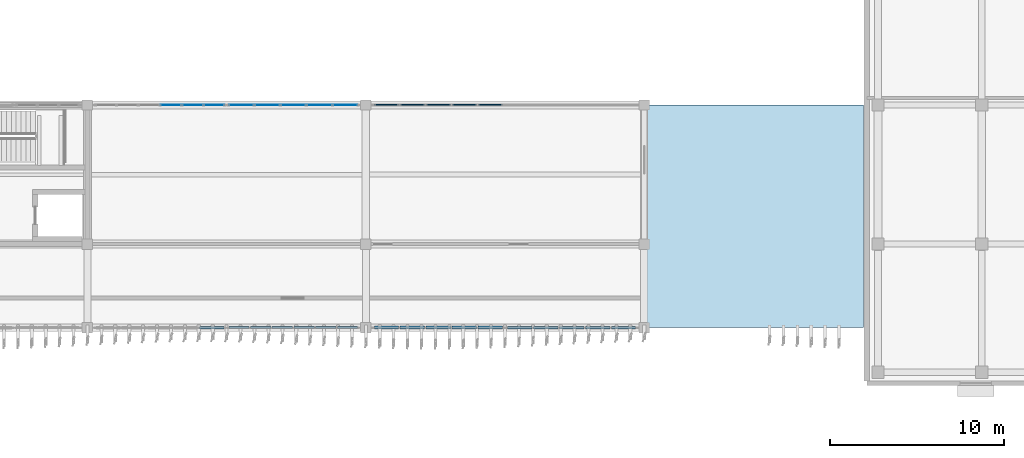
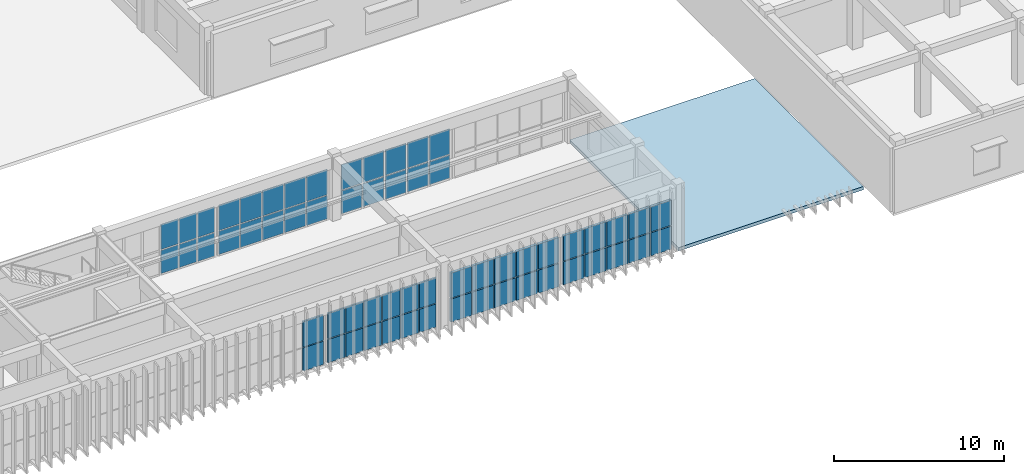
# One storey, part 45 of 76: 60 plates, 1 slab, 7 elements without a shape of their own.
"""IFC4 building model written with IfcOpenShell, lengths in metres."""

from ifc_helpers import new_model, si_unit, direction, frame, origin, origin_2d, place, context, subcontext, project, spatial, polyline, rectangle, outline, extrude, material, layer, layer_set, type_object, element, aggregate, save


model = new_model("IFC4")

# Units and contexts
model_context = context("Model", 3, precision=1e-05, world=origin(), true_north=direction((0.0, 1.0)))
body_context = subcontext(model_context, "Body", "Model", "MODEL_VIEW")
ifc_project = project(units=[si_unit("LENGTHUNIT", "METRE"), si_unit("AREAUNIT", "SQUARE_METRE"), si_unit("VOLUMEUNIT", "CUBIC_METRE"), si_unit("PLANEANGLEUNIT", "RADIAN"), si_unit("MASSUNIT", "GRAM", prefix="KILO")], contexts=[model_context])

# Site, building, storey
site_placement = place(None, origin())
site = spatial("IfcSite", under=ifc_project, at=site_placement, CompositionType="ELEMENT")
building_placement = place(site_placement, origin())
building = spatial("IfcBuilding", under=site, at=building_placement, Name="Cinchona Park Media Centre", CompositionType="ELEMENT")
storey_placement = place(building_placement, frame((0.0, 0.0, 15.60009765625)))
storey = spatial("IfcBuildingStorey", under=building, at=storey_placement, Name="L03", CompositionType="ELEMENT", Elevation=15.60009765625)

# Curtain wall, plates
ifc_material_1 = material(Name="Aluminium Curtain Wall Framing", Category="aluminium")
ifc_layer_1 = layer(ifc_material_1, 0.22509765625)
ifc_layer_set_1 = layer_set([ifc_layer_1], Name="Aluminium Curtain Wall Framing")
curtain_wall_type_1 = type_object("IfcCurtainWallType", Name="CW-CW04", PredefinedType="USERDEFINED", material=ifc_layer_set_1)
curtain_wall_1_placement = place(storey_placement, origin())
curtain_wall_1 = element("IfcCurtainWall", 1, at=curtain_wall_1_placement, inside=storey, type_object=curtain_wall_type_1, Name="Curtain Wall CW04 L03", ObjectType="UNITISED CURTAIN WALL", PredefinedType="USERDEFINED")
ifc_material_2 = material(Name="Laminated Solar-Control Double Glazing", Category="glass")
ifc_layer_2 = layer(ifc_material_2, 0.030029296875)
ifc_layer_set_2 = layer_set([ifc_layer_2], Name="Laminated Solar-Control Double Glazing")
plate_type_1 = type_object("IfcPlateType", Name="CWPANEL-PNL02", PredefinedType="CURTAIN_PANEL", material=ifc_layer_set_2)
plate_1_placement = place(storey_placement, frame((99.594970703125, 87.60009765625, 0.114990234375), z_axis=(0.0, 0.0, 1.0), x_axis=(1.0, 0.0, 0.0)))
plate_1 = element("IfcPlate", 2, at=plate_1_placement, type_object=plate_type_1, Name="CW04 panel 4.1", PredefinedType="CURTAIN_PANEL", context=body_context, shape_type="SweptSolid", body=[
    extrude(rectangle(XDim=1.18505859375, YDim=0.030029296875, at=origin_2d()), origin(), (0.0, 0.0, 1.0), 1.66845703125),
])
plate_2_placement = place(storey_placement, frame((99.594970703125, 87.60009765625, 1.848388671875), z_axis=(0.0, 0.0, 1.0), x_axis=(1.0, 0.0, 0.0)))
plate_2 = element("IfcPlate", 3, at=plate_2_placement, type_object=plate_type_1, Name="CW04 panel 4.2", PredefinedType="CURTAIN_PANEL", context=body_context, shape_type="SweptSolid", body=[
    extrude(rectangle(XDim=1.18505859375, YDim=0.030029296875, at=origin_2d()), origin(), (0.0, 0.0, 1.0), 1.81640625),
])
plate_3_placement = place(storey_placement, frame((100.844970703125, 87.60009765625, 0.114990234375), z_axis=(0.0, 0.0, 1.0), x_axis=(1.0, 0.0, 0.0)))
plate_3 = element("IfcPlate", 4, at=plate_3_placement, type_object=plate_type_1, Name="CW04 panel 5.1", PredefinedType="CURTAIN_PANEL", context=body_context, shape_type="SweptSolid", body=[
    extrude(rectangle(XDim=1.18505859375, YDim=0.030029296875, at=origin_2d()), origin(), (0.0, 0.0, 1.0), 1.66845703125),
])
plate_4_placement = place(storey_placement, frame((100.844970703125, 87.60009765625, 1.848388671875), z_axis=(0.0, 0.0, 1.0), x_axis=(1.0, 0.0, 0.0)))
plate_4 = element("IfcPlate", 5, at=plate_4_placement, type_object=plate_type_1, Name="CW04 panel 5.2", PredefinedType="CURTAIN_PANEL", context=body_context, shape_type="SweptSolid", body=[
    extrude(rectangle(XDim=1.18505859375, YDim=0.030029296875, at=origin_2d()), origin(), (0.0, 0.0, 1.0), 1.81640625),
])
plate_5_placement = place(storey_placement, frame((102.078857421875, 87.60009765625, 0.114990234375), z_axis=(0.0, 0.0, 1.0), x_axis=(1.0, 0.0, 0.0)))
plate_5 = element("IfcPlate", 6, at=plate_5_placement, type_object=plate_type_1, Name="CW04 panel 6.1", PredefinedType="CURTAIN_PANEL", context=body_context, shape_type="SweptSolid", body=[
    extrude(rectangle(XDim=1.152587890625, YDim=0.030029296875, at=origin_2d()), origin(), (0.0, 0.0, 1.0), 1.66845703125),
])
plate_6_placement = place(storey_placement, frame((102.078857421875, 87.60009765625, 1.848388671875), z_axis=(0.0, 0.0, 1.0), x_axis=(1.0, 0.0, 0.0)))
plate_6 = element("IfcPlate", 7, at=plate_6_placement, type_object=plate_type_1, Name="CW04 panel 6.2", PredefinedType="CURTAIN_PANEL", context=body_context, shape_type="SweptSolid", body=[
    extrude(rectangle(XDim=1.152587890625, YDim=0.030029296875, at=origin_2d()), origin(), (0.0, 0.0, 1.0), 1.81640625),
])
aggregate(curtain_wall_1, [plate_1, plate_2, plate_3, plate_4, plate_5, plate_6])

ifc_material_3 = material(Name="Aluminium Curtain Wall Framing", Category="aluminium")
ifc_layer_3 = layer(ifc_material_3, 0.239990234375)
ifc_layer_set_3 = layer_set([ifc_layer_3], Name="Aluminium Curtain Wall Framing")
curtain_wall_type_2 = type_object("IfcCurtainWallType", Name="CW-CW05", PredefinedType="USERDEFINED", material=ifc_layer_set_3)
curtain_wall_2_placement = place(storey_placement, origin())
curtain_wall_2 = element("IfcCurtainWall", 8, at=curtain_wall_2_placement, inside=storey, type_object=curtain_wall_type_2, Name="Curtain Wall CW05 L03", ObjectType="UNITISED CURTAIN WALL", PredefinedType="USERDEFINED")
ifc_material_4 = material(Name="Laminated Solar-Control Double Glazing", Category="glass")
ifc_layer_4 = layer(ifc_material_4, 0.050048828125)
ifc_layer_set_4 = layer_set([ifc_layer_4], Name="Laminated Solar-Control Double Glazing")
plate_type_2 = type_object("IfcPlateType", Name="CWPANEL-PNL04", PredefinedType="CURTAIN_PANEL", material=ifc_layer_set_4)
plate_7_placement = place(storey_placement, frame((103.646240234375, 87.60009765625, 0.114990234375), z_axis=(0.0, 0.0, 1.0), x_axis=(1.0, 0.0, 0.0)))
plate_7 = element("IfcPlate", 9, at=plate_7_placement, type_object=plate_type_2, Name="CW05 panel 1.1", PredefinedType="CURTAIN_PANEL", context=body_context, shape_type="SweptSolid", body=[
    extrude(rectangle(XDim=1.402587890625, YDim=0.050048828125, at=origin_2d()), origin(), (0.0, 0.0, 1.0), 1.66845703125),
])
plate_8_placement = place(storey_placement, frame((103.646240234375, 87.60009765625, 1.848388671875), z_axis=(0.0, 0.0, 1.0), x_axis=(1.0, 0.0, 0.0)))
plate_8 = element("IfcPlate", 10, at=plate_8_placement, type_object=plate_type_2, Name="CW05 panel 1.2", PredefinedType="CURTAIN_PANEL", context=body_context, shape_type="SweptSolid", body=[
    extrude(rectangle(XDim=1.402587890625, YDim=0.050048828125, at=origin_2d()), origin(), (0.0, 0.0, 1.0), 1.81640625),
])
plate_9_placement = place(storey_placement, frame((105.1298828125, 87.60009765625, 0.114990234375), z_axis=(0.0, 0.0, 1.0), x_axis=(1.0, 0.0, 0.0)))
plate_9 = element("IfcPlate", 11, at=plate_9_placement, type_object=plate_type_2, Name="CW05 panel 2.1", PredefinedType="CURTAIN_PANEL", context=body_context, shape_type="SweptSolid", body=[
    extrude(rectangle(XDim=1.43505859375, YDim=0.050048828125, at=origin_2d()), origin(), (0.0, 0.0, 1.0), 1.66845703125),
])
plate_10_placement = place(storey_placement, frame((105.1298828125, 87.60009765625, 1.848388671875), z_axis=(0.0, 0.0, 1.0), x_axis=(1.0, 0.0, 0.0)))
plate_10 = element("IfcPlate", 12, at=plate_10_placement, type_object=plate_type_2, Name="CW05 panel 2.2", PredefinedType="CURTAIN_PANEL", context=body_context, shape_type="SweptSolid", body=[
    extrude(rectangle(XDim=1.43505859375, YDim=0.050048828125, at=origin_2d()), origin(), (0.0, 0.0, 1.0), 1.81640625),
])
plate_11_placement = place(storey_placement, frame((106.6298828125, 87.60009765625, 0.114990234375), z_axis=(0.0, 0.0, 1.0), x_axis=(1.0, 0.0, 0.0)))
plate_11 = element("IfcPlate", 13, at=plate_11_placement, type_object=plate_type_2, Name="CW05 panel 3.1", PredefinedType="CURTAIN_PANEL", context=body_context, shape_type="SweptSolid", body=[
    extrude(rectangle(XDim=1.43505859375, YDim=0.050048828125, at=origin_2d()), origin(), (0.0, 0.0, 1.0), 1.66845703125),
])
plate_12_placement = place(storey_placement, frame((106.6298828125, 87.60009765625, 1.848388671875), z_axis=(0.0, 0.0, 1.0), x_axis=(1.0, 0.0, 0.0)))
plate_12 = element("IfcPlate", 14, at=plate_12_placement, type_object=plate_type_2, Name="CW05 panel 3.2", PredefinedType="CURTAIN_PANEL", context=body_context, shape_type="SweptSolid", body=[
    extrude(rectangle(XDim=1.43505859375, YDim=0.050048828125, at=origin_2d()), origin(), (0.0, 0.0, 1.0), 1.81640625),
])
plate_13_placement = place(storey_placement, frame((108.1298828125, 87.60009765625, 0.114990234375), z_axis=(0.0, 0.0, 1.0), x_axis=(1.0, 0.0, 0.0)))
plate_13 = element("IfcPlate", 15, at=plate_13_placement, type_object=plate_type_2, Name="CW05 panel 4.1", PredefinedType="CURTAIN_PANEL", context=body_context, shape_type="SweptSolid", body=[
    extrude(rectangle(XDim=1.43505859375, YDim=0.050048828125, at=origin_2d()), origin(), (0.0, 0.0, 1.0), 1.66845703125),
])
plate_14_placement = place(storey_placement, frame((108.1298828125, 87.60009765625, 1.848388671875), z_axis=(0.0, 0.0, 1.0), x_axis=(1.0, 0.0, 0.0)))
plate_14 = element("IfcPlate", 16, at=plate_14_placement, type_object=plate_type_2, Name="CW05 panel 4.2", PredefinedType="CURTAIN_PANEL", context=body_context, shape_type="SweptSolid", body=[
    extrude(rectangle(XDim=1.43505859375, YDim=0.050048828125, at=origin_2d()), origin(), (0.0, 0.0, 1.0), 1.81640625),
])
plate_15_placement = place(storey_placement, frame((109.61376953125, 87.60009765625, 0.114990234375), z_axis=(0.0, 0.0, 1.0), x_axis=(1.0, 0.0, 0.0)))
plate_15 = element("IfcPlate", 17, at=plate_15_placement, type_object=plate_type_2, Name="CW05 panel 5.1", PredefinedType="CURTAIN_PANEL", context=body_context, shape_type="SweptSolid", body=[
    extrude(rectangle(XDim=1.402587890625, YDim=0.050048828125, at=origin_2d()), origin(), (0.0, 0.0, 1.0), 1.66845703125),
])
plate_16_placement = place(storey_placement, frame((109.61376953125, 87.60009765625, 1.848388671875), z_axis=(0.0, 0.0, 1.0), x_axis=(1.0, 0.0, 0.0)))
plate_16 = element("IfcPlate", 18, at=plate_16_placement, type_object=plate_type_2, Name="CW05 panel 5.2", PredefinedType="CURTAIN_PANEL", context=body_context, shape_type="SweptSolid", body=[
    extrude(rectangle(XDim=1.402587890625, YDim=0.050048828125, at=origin_2d()), origin(), (0.0, 0.0, 1.0), 1.81640625),
])
aggregate(curtain_wall_2, [plate_7, plate_8, plate_9, plate_10, plate_11, plate_12, plate_13, plate_14, plate_15, plate_16])

ifc_material_5 = material(Name="Aluminium Curtain Wall Framing", Category="aluminium")
ifc_layer_5 = layer(ifc_material_5, 0.2548828125)
ifc_layer_set_5 = layer_set([ifc_layer_5], Name="Aluminium Curtain Wall Framing")
curtain_wall_type_3 = type_object("IfcCurtainWallType", Name="CW-CW06", PredefinedType="USERDEFINED", material=ifc_layer_set_5)
curtain_wall_3_placement = place(storey_placement, origin())
curtain_wall_3 = element("IfcCurtainWall", 19, at=curtain_wall_3_placement, inside=storey, type_object=curtain_wall_type_3, Name="Curtain Wall CW06 L03", ObjectType="UNITISED CURTAIN WALL", PredefinedType="USERDEFINED")
ifc_material_6 = material(Name="Laminated Solar-Control Double Glazing", Category="glass")
ifc_layer_6 = layer(ifc_material_6, 0.06005859375)
ifc_layer_set_6 = layer_set([ifc_layer_6], Name="Laminated Solar-Control Double Glazing")
plate_type_3 = type_object("IfcPlateType", Name="CWPANEL-PNL05", PredefinedType="CURTAIN_PANEL", material=ifc_layer_set_6)
plate_17_placement = place(storey_placement, frame((111.98876953125, 87.60009765625, 0.125), z_axis=(0.0, 0.0, 1.0), x_axis=(1.0, 0.0, 0.0)))
plate_17 = element("IfcPlate", 20, at=plate_17_placement, type_object=plate_type_3, Name="CW06 panel 1.1", PredefinedType="CURTAIN_PANEL", context=body_context, shape_type="SweptSolid", body=[
    extrude(rectangle(XDim=1.387451171875, YDim=0.06005859375, at=origin_2d()), origin(), (0.0, 0.0, 1.0), 1.653564453125),
])
plate_18_placement = place(storey_placement, frame((111.98876953125, 87.60009765625, 1.853515625), z_axis=(0.0, 0.0, 1.0), x_axis=(1.0, 0.0, 0.0)))
plate_18 = element("IfcPlate", 21, at=plate_18_placement, type_object=plate_type_3, Name="CW06 panel 1.2", PredefinedType="CURTAIN_PANEL", context=body_context, shape_type="SweptSolid", body=[
    extrude(rectangle(XDim=1.387451171875, YDim=0.06005859375, at=origin_2d()), origin(), (0.0, 0.0, 1.0), 1.801513671875),
])
plate_19_placement = place(storey_placement, frame((113.469970703125, 87.60009765625, 0.125), z_axis=(0.0, 0.0, 1.0), x_axis=(1.0, 0.0, 0.0)))
plate_19 = element("IfcPlate", 22, at=plate_19_placement, type_object=plate_type_3, Name="CW06 panel 2.1", PredefinedType="CURTAIN_PANEL", context=body_context, shape_type="SweptSolid", body=[
    extrude(rectangle(XDim=1.425048828125, YDim=0.06005859375, at=origin_2d()), origin(), (0.0, 0.0, 1.0), 1.653564453125),
])
plate_20_placement = place(storey_placement, frame((113.469970703125, 87.60009765625, 1.853515625), z_axis=(0.0, 0.0, 1.0), x_axis=(1.0, 0.0, 0.0)))
plate_20 = element("IfcPlate", 23, at=plate_20_placement, type_object=plate_type_3, Name="CW06 panel 2.2", PredefinedType="CURTAIN_PANEL", context=body_context, shape_type="SweptSolid", body=[
    extrude(rectangle(XDim=1.425048828125, YDim=0.06005859375, at=origin_2d()), origin(), (0.0, 0.0, 1.0), 1.801513671875),
])
plate_21_placement = place(storey_placement, frame((114.969970703125, 87.60009765625, 0.125), z_axis=(0.0, 0.0, 1.0), x_axis=(1.0, 0.0, 0.0)))
plate_21 = element("IfcPlate", 24, at=plate_21_placement, type_object=plate_type_3, Name="CW06 panel 3.1", PredefinedType="CURTAIN_PANEL", context=body_context, shape_type="SweptSolid", body=[
    extrude(rectangle(XDim=1.425048828125, YDim=0.06005859375, at=origin_2d()), origin(), (0.0, 0.0, 1.0), 1.653564453125),
])
plate_22_placement = place(storey_placement, frame((114.969970703125, 87.60009765625, 1.853515625), z_axis=(0.0, 0.0, 1.0), x_axis=(1.0, 0.0, 0.0)))
plate_22 = element("IfcPlate", 25, at=plate_22_placement, type_object=plate_type_3, Name="CW06 panel 3.2", PredefinedType="CURTAIN_PANEL", context=body_context, shape_type="SweptSolid", body=[
    extrude(rectangle(XDim=1.425048828125, YDim=0.06005859375, at=origin_2d()), origin(), (0.0, 0.0, 1.0), 1.801513671875),
])
plate_23_placement = place(storey_placement, frame((116.469970703125, 87.60009765625, 0.125), z_axis=(0.0, 0.0, 1.0), x_axis=(1.0, 0.0, 0.0)))
plate_23 = element("IfcPlate", 26, at=plate_23_placement, type_object=plate_type_3, Name="CW06 panel 4.1", PredefinedType="CURTAIN_PANEL", context=body_context, shape_type="SweptSolid", body=[
    extrude(rectangle(XDim=1.425048828125, YDim=0.06005859375, at=origin_2d()), origin(), (0.0, 0.0, 1.0), 1.653564453125),
])
plate_24_placement = place(storey_placement, frame((116.469970703125, 87.60009765625, 1.853515625), z_axis=(0.0, 0.0, 1.0), x_axis=(1.0, 0.0, 0.0)))
plate_24 = element("IfcPlate", 27, at=plate_24_placement, type_object=plate_type_3, Name="CW06 panel 4.2", PredefinedType="CURTAIN_PANEL", context=body_context, shape_type="SweptSolid", body=[
    extrude(rectangle(XDim=1.425048828125, YDim=0.06005859375, at=origin_2d()), origin(), (0.0, 0.0, 1.0), 1.801513671875),
])
plate_25_placement = place(storey_placement, frame((117.951171875, 87.60009765625, 0.125), z_axis=(0.0, 0.0, 1.0), x_axis=(1.0, 0.0, 0.0)))
plate_25 = element("IfcPlate", 28, at=plate_25_placement, type_object=plate_type_3, Name="CW06 panel 5.1", PredefinedType="CURTAIN_PANEL", context=body_context, shape_type="SweptSolid", body=[
    extrude(rectangle(XDim=1.387451171875, YDim=0.06005859375, at=origin_2d()), origin(), (0.0, 0.0, 1.0), 1.653564453125),
])
plate_26_placement = place(storey_placement, frame((117.951171875, 87.60009765625, 1.853515625), z_axis=(0.0, 0.0, 1.0), x_axis=(1.0, 0.0, 0.0)))
plate_26 = element("IfcPlate", 29, at=plate_26_placement, type_object=plate_type_3, Name="CW06 panel 5.2", PredefinedType="CURTAIN_PANEL", context=body_context, shape_type="SweptSolid", body=[
    extrude(rectangle(XDim=1.387451171875, YDim=0.06005859375, at=origin_2d()), origin(), (0.0, 0.0, 1.0), 1.801513671875),
])
aggregate(curtain_wall_3, [plate_17, plate_18, plate_19, plate_20, plate_21, plate_22, plate_23, plate_24, plate_25, plate_26])

curtain_wall_4_placement = place(storey_placement, origin())
curtain_wall_4 = element("IfcCurtainWall", 30, at=curtain_wall_4_placement, inside=storey, type_object=curtain_wall_type_1, Name="Curtain Wall CW04 L03", ObjectType="UNITISED CURTAIN WALL", PredefinedType="USERDEFINED")
ifc_material_7 = material(Name="Insulated Acoustic Aluminium-Glass Spandrel Cassette", Category="aluminium")
ifc_layer_7 = layer(ifc_material_7, 0.1201171875)
ifc_layer_set_7 = layer_set([ifc_layer_7], Name="Insulated Acoustic Aluminium-Glass Spandrel Cassette")
plate_type_4 = type_object("IfcPlateType", Name="CWPANEL-PNL11", PredefinedType="CURTAIN_PANEL", material=ifc_layer_set_7)
plate_27_placement = place(storey_placement, frame((109.73876953125, 74.800048828125, 0.114990234375), z_axis=(0.0, 0.0, 1.0), x_axis=(-1.0, 0.0, 0.0)))
plate_27 = element("IfcPlate", 31, at=plate_27_placement, type_object=plate_type_4, Name="CW04 panel 1.1", PredefinedType="CURTAIN_PANEL", context=body_context, shape_type="SweptSolid", body=[
    extrude(rectangle(XDim=1.152587890625, YDim=0.1201171875, at=origin_2d()), origin(), (0.0, 0.0, 1.0), 1.66845703125),
])
plate_28_placement = place(storey_placement, frame((109.73876953125, 74.800048828125, 1.848388671875), z_axis=(0.0, 0.0, 1.0), x_axis=(-1.0, 0.0, 0.0)))
plate_28 = element("IfcPlate", 32, at=plate_28_placement, type_object=plate_type_4, Name="CW04 panel 1.2", PredefinedType="CURTAIN_PANEL", context=body_context, shape_type="SweptSolid", body=[
    extrude(rectangle(XDim=1.152587890625, YDim=0.1201171875, at=origin_2d()), origin(), (0.0, 0.0, 1.0), 1.81640625),
])
plate_29_placement = place(storey_placement, frame((108.5048828125, 74.800048828125, 0.114990234375), z_axis=(0.0, 0.0, 1.0), x_axis=(-1.0, 0.0, 0.0)))
plate_29 = element("IfcPlate", 33, at=plate_29_placement, type_object=plate_type_4, Name="CW04 panel 2.1", PredefinedType="CURTAIN_PANEL", context=body_context, shape_type="SweptSolid", body=[
    extrude(rectangle(XDim=1.18505859375, YDim=0.1201171875, at=origin_2d()), origin(), (0.0, 0.0, 1.0), 1.66845703125),
])
plate_30_placement = place(storey_placement, frame((108.5048828125, 74.800048828125, 1.848388671875), z_axis=(0.0, 0.0, 1.0), x_axis=(-1.0, 0.0, 0.0)))
plate_30 = element("IfcPlate", 34, at=plate_30_placement, type_object=plate_type_4, Name="CW04 panel 2.2", PredefinedType="CURTAIN_PANEL", context=body_context, shape_type="SweptSolid", body=[
    extrude(rectangle(XDim=1.18505859375, YDim=0.1201171875, at=origin_2d()), origin(), (0.0, 0.0, 1.0), 1.81640625),
])
plate_31_placement = place(storey_placement, frame((107.2548828125, 74.800048828125, 0.114990234375), z_axis=(0.0, 0.0, 1.0), x_axis=(-1.0, 0.0, 0.0)))
plate_31 = element("IfcPlate", 35, at=plate_31_placement, type_object=plate_type_4, Name="CW04 panel 3.1", PredefinedType="CURTAIN_PANEL", context=body_context, shape_type="SweptSolid", body=[
    extrude(rectangle(XDim=1.18505859375, YDim=0.1201171875, at=origin_2d()), origin(), (0.0, 0.0, 1.0), 1.66845703125),
])
plate_32_placement = place(storey_placement, frame((107.2548828125, 74.800048828125, 1.848388671875), z_axis=(0.0, 0.0, 1.0), x_axis=(-1.0, 0.0, 0.0)))
plate_32 = element("IfcPlate", 36, at=plate_32_placement, type_object=plate_type_4, Name="CW04 panel 3.2", PredefinedType="CURTAIN_PANEL", context=body_context, shape_type="SweptSolid", body=[
    extrude(rectangle(XDim=1.18505859375, YDim=0.1201171875, at=origin_2d()), origin(), (0.0, 0.0, 1.0), 1.81640625),
])
plate_33_placement = place(storey_placement, frame((106.0048828125, 74.800048828125, 0.114990234375), z_axis=(0.0, 0.0, 1.0), x_axis=(-1.0, 0.0, 0.0)))
plate_33 = element("IfcPlate", 37, at=plate_33_placement, type_object=plate_type_4, Name="CW04 panel 4.1", PredefinedType="CURTAIN_PANEL", context=body_context, shape_type="SweptSolid", body=[
    extrude(rectangle(XDim=1.18505859375, YDim=0.1201171875, at=origin_2d()), origin(), (0.0, 0.0, 1.0), 1.66845703125),
])
plate_34_placement = place(storey_placement, frame((106.0048828125, 74.800048828125, 1.848388671875), z_axis=(0.0, 0.0, 1.0), x_axis=(-1.0, 0.0, 0.0)))
plate_34 = element("IfcPlate", 38, at=plate_34_placement, type_object=plate_type_4, Name="CW04 panel 4.2", PredefinedType="CURTAIN_PANEL", context=body_context, shape_type="SweptSolid", body=[
    extrude(rectangle(XDim=1.18505859375, YDim=0.1201171875, at=origin_2d()), origin(), (0.0, 0.0, 1.0), 1.81640625),
])
plate_35_placement = place(storey_placement, frame((104.7548828125, 74.800048828125, 0.114990234375), z_axis=(0.0, 0.0, 1.0), x_axis=(-1.0, 0.0, 0.0)))
plate_35 = element("IfcPlate", 39, at=plate_35_placement, type_object=plate_type_4, Name="CW04 panel 5.1", PredefinedType="CURTAIN_PANEL", context=body_context, shape_type="SweptSolid", body=[
    extrude(rectangle(XDim=1.18505859375, YDim=0.1201171875, at=origin_2d()), origin(), (0.0, 0.0, 1.0), 1.66845703125),
])
plate_36_placement = place(storey_placement, frame((104.7548828125, 74.800048828125, 1.848388671875), z_axis=(0.0, 0.0, 1.0), x_axis=(-1.0, 0.0, 0.0)))
plate_36 = element("IfcPlate", 40, at=plate_36_placement, type_object=plate_type_4, Name="CW04 panel 5.2", PredefinedType="CURTAIN_PANEL", context=body_context, shape_type="SweptSolid", body=[
    extrude(rectangle(XDim=1.18505859375, YDim=0.1201171875, at=origin_2d()), origin(), (0.0, 0.0, 1.0), 1.81640625),
])
plate_37_placement = place(storey_placement, frame((103.521240234375, 74.800048828125, 0.114990234375), z_axis=(0.0, 0.0, 1.0), x_axis=(-1.0, 0.0, 0.0)))
plate_37 = element("IfcPlate", 41, at=plate_37_placement, type_object=plate_type_4, Name="CW04 panel 6.1", PredefinedType="CURTAIN_PANEL", context=body_context, shape_type="SweptSolid", body=[
    extrude(rectangle(XDim=1.152587890625, YDim=0.1201171875, at=origin_2d()), origin(), (0.0, 0.0, 1.0), 1.66845703125),
])
plate_38_placement = place(storey_placement, frame((103.521240234375, 74.800048828125, 1.848388671875), z_axis=(0.0, 0.0, 1.0), x_axis=(-1.0, 0.0, 0.0)))
plate_38 = element("IfcPlate", 42, at=plate_38_placement, type_object=plate_type_4, Name="CW04 panel 6.2", PredefinedType="CURTAIN_PANEL", context=body_context, shape_type="SweptSolid", body=[
    extrude(rectangle(XDim=1.152587890625, YDim=0.1201171875, at=origin_2d()), origin(), (0.0, 0.0, 1.0), 1.81640625),
])
aggregate(curtain_wall_4, [plate_27, plate_28, plate_29, plate_30, plate_31, plate_32, plate_33, plate_34, plate_35, plate_36, plate_37, plate_38])

curtain_wall_5_placement = place(storey_placement, origin())
curtain_wall_5 = element("IfcCurtainWall", 43, at=curtain_wall_5_placement, inside=storey, type_object=curtain_wall_type_2, Name="Curtain Wall CW05 L03", ObjectType="UNITISED CURTAIN WALL", PredefinedType="USERDEFINED")
ifc_material_8 = material(Name="Insulated Acoustic Aluminium-Glass Spandrel Cassette", Category="aluminium")
ifc_layer_8 = layer(ifc_material_8, 0.139892578125)
ifc_layer_set_8 = layer_set([ifc_layer_8], Name="Insulated Acoustic Aluminium-Glass Spandrel Cassette")
plate_type_5 = type_object("IfcPlateType", Name="CWPANEL-PNL13", PredefinedType="CURTAIN_PANEL", material=ifc_layer_set_8)
plate_39_placement = place(storey_placement, frame((101.953857421875, 74.800048828125, 0.114990234375), z_axis=(0.0, 0.0, 1.0), x_axis=(-1.0, 0.0, 0.0)))
plate_39 = element("IfcPlate", 44, at=plate_39_placement, type_object=plate_type_5, Name="CW05 panel 1.1", PredefinedType="CURTAIN_PANEL", context=body_context, shape_type="SweptSolid", body=[
    extrude(rectangle(XDim=1.402587890625, YDim=0.139892578125, at=origin_2d()), origin(), (0.0, 0.0, 1.0), 1.66845703125),
])
plate_40_placement = place(storey_placement, frame((101.953857421875, 74.800048828125, 1.848388671875), z_axis=(0.0, 0.0, 1.0), x_axis=(-1.0, 0.0, 0.0)))
plate_40 = element("IfcPlate", 45, at=plate_40_placement, type_object=plate_type_5, Name="CW05 panel 1.2", PredefinedType="CURTAIN_PANEL", context=body_context, shape_type="SweptSolid", body=[
    extrude(rectangle(XDim=1.402587890625, YDim=0.139892578125, at=origin_2d()), origin(), (0.0, 0.0, 1.0), 1.81640625),
])
aggregate(curtain_wall_5, [plate_39, plate_40])

curtain_wall_6_placement = place(storey_placement, origin())
curtain_wall_6 = element("IfcCurtainWall", 46, at=curtain_wall_6_placement, inside=storey, type_object=curtain_wall_type_3, Name="Curtain Wall CW06 L03", ObjectType="UNITISED CURTAIN WALL", PredefinedType="USERDEFINED")
ifc_material_9 = material(Name="Insulated Acoustic Aluminium-Glass Spandrel Cassette", Category="aluminium")
ifc_layer_9 = layer(ifc_material_9, 0.14990234375)
ifc_layer_set_9 = layer_set([ifc_layer_9], Name="Insulated Acoustic Aluminium-Glass Spandrel Cassette")
plate_type_6 = type_object("IfcPlateType", Name="CWPANEL-PNL14", PredefinedType="CURTAIN_PANEL", material=ifc_layer_set_9)
plate_41_placement = place(storey_placement, frame((125.611328125, 74.800048828125, 0.125), z_axis=(0.0, 0.0, 1.0), x_axis=(-1.0, 0.0, 0.0)))
plate_41 = element("IfcPlate", 47, at=plate_41_placement, type_object=plate_type_6, Name="CW06 panel 1.1", PredefinedType="CURTAIN_PANEL", context=body_context, shape_type="SweptSolid", body=[
    extrude(rectangle(XDim=1.387451171875, YDim=0.14990234375, at=origin_2d()), origin(), (0.0, 0.0, 1.0), 1.653564453125),
])
plate_42_placement = place(storey_placement, frame((125.611328125, 74.800048828125, 1.853515625), z_axis=(0.0, 0.0, 1.0), x_axis=(-1.0, 0.0, 0.0)))
plate_42 = element("IfcPlate", 48, at=plate_42_placement, type_object=plate_type_6, Name="CW06 panel 1.2", PredefinedType="CURTAIN_PANEL", context=body_context, shape_type="SweptSolid", body=[
    extrude(rectangle(XDim=1.387451171875, YDim=0.14990234375, at=origin_2d()), origin(), (0.0, 0.0, 1.0), 1.801513671875),
])
plate_43_placement = place(storey_placement, frame((124.1298828125, 74.800048828125, 0.125), z_axis=(0.0, 0.0, 1.0), x_axis=(-1.0, 0.0, 0.0)))
plate_43 = element("IfcPlate", 49, at=plate_43_placement, type_object=plate_type_6, Name="CW06 panel 2.1", PredefinedType="CURTAIN_PANEL", context=body_context, shape_type="SweptSolid", body=[
    extrude(rectangle(XDim=1.425048828125, YDim=0.14990234375, at=origin_2d()), origin(), (0.0, 0.0, 1.0), 1.653564453125),
])
plate_44_placement = place(storey_placement, frame((124.1298828125, 74.800048828125, 1.853515625), z_axis=(0.0, 0.0, 1.0), x_axis=(-1.0, 0.0, 0.0)))
plate_44 = element("IfcPlate", 50, at=plate_44_placement, type_object=plate_type_6, Name="CW06 panel 2.2", PredefinedType="CURTAIN_PANEL", context=body_context, shape_type="SweptSolid", body=[
    extrude(rectangle(XDim=1.425048828125, YDim=0.14990234375, at=origin_2d()), origin(), (0.0, 0.0, 1.0), 1.801513671875),
])
plate_45_placement = place(storey_placement, frame((122.6298828125, 74.800048828125, 0.125), z_axis=(0.0, 0.0, 1.0), x_axis=(-1.0, 0.0, 0.0)))
plate_45 = element("IfcPlate", 51, at=plate_45_placement, type_object=plate_type_6, Name="CW06 panel 3.1", PredefinedType="CURTAIN_PANEL", context=body_context, shape_type="SweptSolid", body=[
    extrude(rectangle(XDim=1.425048828125, YDim=0.14990234375, at=origin_2d()), origin(), (0.0, 0.0, 1.0), 1.653564453125),
])
plate_46_placement = place(storey_placement, frame((122.6298828125, 74.800048828125, 1.853515625), z_axis=(0.0, 0.0, 1.0), x_axis=(-1.0, 0.0, 0.0)))
plate_46 = element("IfcPlate", 52, at=plate_46_placement, type_object=plate_type_6, Name="CW06 panel 3.2", PredefinedType="CURTAIN_PANEL", context=body_context, shape_type="SweptSolid", body=[
    extrude(rectangle(XDim=1.425048828125, YDim=0.14990234375, at=origin_2d()), origin(), (0.0, 0.0, 1.0), 1.801513671875),
])
plate_47_placement = place(storey_placement, frame((121.1298828125, 74.800048828125, 0.125), z_axis=(0.0, 0.0, 1.0), x_axis=(-1.0, 0.0, 0.0)))
plate_47 = element("IfcPlate", 53, at=plate_47_placement, type_object=plate_type_6, Name="CW06 panel 4.1", PredefinedType="CURTAIN_PANEL", context=body_context, shape_type="SweptSolid", body=[
    extrude(rectangle(XDim=1.425048828125, YDim=0.14990234375, at=origin_2d()), origin(), (0.0, 0.0, 1.0), 1.653564453125),
])
plate_48_placement = place(storey_placement, frame((121.1298828125, 74.800048828125, 1.853515625), z_axis=(0.0, 0.0, 1.0), x_axis=(-1.0, 0.0, 0.0)))
plate_48 = element("IfcPlate", 54, at=plate_48_placement, type_object=plate_type_6, Name="CW06 panel 4.2", PredefinedType="CURTAIN_PANEL", context=body_context, shape_type="SweptSolid", body=[
    extrude(rectangle(XDim=1.425048828125, YDim=0.14990234375, at=origin_2d()), origin(), (0.0, 0.0, 1.0), 1.801513671875),
])
plate_49_placement = place(storey_placement, frame((119.648681640625, 74.800048828125, 0.125), z_axis=(0.0, 0.0, 1.0), x_axis=(-1.0, 0.0, 0.0)))
plate_49 = element("IfcPlate", 55, at=plate_49_placement, type_object=plate_type_6, Name="CW06 panel 5.1", PredefinedType="CURTAIN_PANEL", context=body_context, shape_type="SweptSolid", body=[
    extrude(rectangle(XDim=1.387451171875, YDim=0.14990234375, at=origin_2d()), origin(), (0.0, 0.0, 1.0), 1.653564453125),
])
plate_50_placement = place(storey_placement, frame((119.648681640625, 74.800048828125, 1.853515625), z_axis=(0.0, 0.0, 1.0), x_axis=(-1.0, 0.0, 0.0)))
plate_50 = element("IfcPlate", 56, at=plate_50_placement, type_object=plate_type_6, Name="CW06 panel 5.2", PredefinedType="CURTAIN_PANEL", context=body_context, shape_type="SweptSolid", body=[
    extrude(rectangle(XDim=1.387451171875, YDim=0.14990234375, at=origin_2d()), origin(), (0.0, 0.0, 1.0), 1.801513671875),
])
aggregate(curtain_wall_6, [plate_41, plate_42, plate_43, plate_44, plate_45, plate_46, plate_47, plate_48, plate_49, plate_50])

ifc_material_10 = material(Name="Aluminium Curtain Wall Framing", Category="aluminium")
ifc_layer_10 = layer(ifc_material_10, 0.27001953125)
ifc_layer_set_10 = layer_set([ifc_layer_10], Name="Aluminium Curtain Wall Framing")
curtain_wall_type_4 = type_object("IfcCurtainWallType", Name="CW-CW07", PredefinedType="USERDEFINED", material=ifc_layer_set_10)
curtain_wall_7_placement = place(storey_placement, origin())
curtain_wall_7 = element("IfcCurtainWall", 57, at=curtain_wall_7_placement, inside=storey, type_object=curtain_wall_type_4, Name="Curtain Wall CW07 L03", ObjectType="UNITISED CURTAIN WALL", PredefinedType="USERDEFINED")
ifc_material_11 = material(Name="Insulated Acoustic Aluminium-Glass Spandrel Cassette", Category="aluminium")
ifc_layer_11 = layer(ifc_material_11, 0.169921875)
ifc_layer_set_11 = layer_set([ifc_layer_11], Name="Insulated Acoustic Aluminium-Glass Spandrel Cassette")
plate_type_7 = type_object("IfcPlateType", Name="CWPANEL-PNL16", PredefinedType="CURTAIN_PANEL", material=ifc_layer_set_11)
plate_51_placement = place(storey_placement, frame((117.951171875, 74.800048828125, 0.125), z_axis=(0.0, 0.0, 1.0), x_axis=(-1.0, 0.0, 0.0)))
plate_51 = element("IfcPlate", 58, at=plate_51_placement, type_object=plate_type_7, Name="CW07 panel 1.1", PredefinedType="CURTAIN_PANEL", context=body_context, shape_type="SweptSolid", body=[
    extrude(rectangle(XDim=1.387451171875, YDim=0.169921875, at=origin_2d()), origin(), (0.0, 0.0, 1.0), 1.653564453125),
])
plate_52_placement = place(storey_placement, frame((117.951171875, 74.800048828125, 1.853515625), z_axis=(0.0, 0.0, 1.0), x_axis=(-1.0, 0.0, 0.0)))
plate_52 = element("IfcPlate", 59, at=plate_52_placement, type_object=plate_type_7, Name="CW07 panel 1.2", PredefinedType="CURTAIN_PANEL", context=body_context, shape_type="SweptSolid", body=[
    extrude(rectangle(XDim=1.387451171875, YDim=0.169921875, at=origin_2d()), origin(), (0.0, 0.0, 1.0), 1.801513671875),
])
plate_53_placement = place(storey_placement, frame((116.469970703125, 74.800048828125, 0.125), z_axis=(0.0, 0.0, 1.0), x_axis=(-1.0, 0.0, 0.0)))
plate_53 = element("IfcPlate", 60, at=plate_53_placement, type_object=plate_type_7, Name="CW07 panel 2.1", PredefinedType="CURTAIN_PANEL", context=body_context, shape_type="SweptSolid", body=[
    extrude(rectangle(XDim=1.425048828125, YDim=0.169921875, at=origin_2d()), origin(), (0.0, 0.0, 1.0), 1.653564453125),
])
plate_54_placement = place(storey_placement, frame((116.469970703125, 74.800048828125, 1.853515625), z_axis=(0.0, 0.0, 1.0), x_axis=(-1.0, 0.0, 0.0)))
plate_54 = element("IfcPlate", 61, at=plate_54_placement, type_object=plate_type_7, Name="CW07 panel 2.2", PredefinedType="CURTAIN_PANEL", context=body_context, shape_type="SweptSolid", body=[
    extrude(rectangle(XDim=1.425048828125, YDim=0.169921875, at=origin_2d()), origin(), (0.0, 0.0, 1.0), 1.801513671875),
])
plate_55_placement = place(storey_placement, frame((114.969970703125, 74.800048828125, 0.125), z_axis=(0.0, 0.0, 1.0), x_axis=(-1.0, 0.0, 0.0)))
plate_55 = element("IfcPlate", 62, at=plate_55_placement, type_object=plate_type_7, Name="CW07 panel 3.1", PredefinedType="CURTAIN_PANEL", context=body_context, shape_type="SweptSolid", body=[
    extrude(rectangle(XDim=1.425048828125, YDim=0.169921875, at=origin_2d()), origin(), (0.0, 0.0, 1.0), 1.653564453125),
])
plate_56_placement = place(storey_placement, frame((114.969970703125, 74.800048828125, 1.853515625), z_axis=(0.0, 0.0, 1.0), x_axis=(-1.0, 0.0, 0.0)))
plate_56 = element("IfcPlate", 63, at=plate_56_placement, type_object=plate_type_7, Name="CW07 panel 3.2", PredefinedType="CURTAIN_PANEL", context=body_context, shape_type="SweptSolid", body=[
    extrude(rectangle(XDim=1.425048828125, YDim=0.169921875, at=origin_2d()), origin(), (0.0, 0.0, 1.0), 1.801513671875),
])
plate_57_placement = place(storey_placement, frame((113.469970703125, 74.800048828125, 0.125), z_axis=(0.0, 0.0, 1.0), x_axis=(-1.0, 0.0, 0.0)))
plate_57 = element("IfcPlate", 64, at=plate_57_placement, type_object=plate_type_7, Name="CW07 panel 4.1", PredefinedType="CURTAIN_PANEL", context=body_context, shape_type="SweptSolid", body=[
    extrude(rectangle(XDim=1.425048828125, YDim=0.169921875, at=origin_2d()), origin(), (0.0, 0.0, 1.0), 1.653564453125),
])
plate_58_placement = place(storey_placement, frame((113.469970703125, 74.800048828125, 1.853515625), z_axis=(0.0, 0.0, 1.0), x_axis=(-1.0, 0.0, 0.0)))
plate_58 = element("IfcPlate", 65, at=plate_58_placement, type_object=plate_type_7, Name="CW07 panel 4.2", PredefinedType="CURTAIN_PANEL", context=body_context, shape_type="SweptSolid", body=[
    extrude(rectangle(XDim=1.425048828125, YDim=0.169921875, at=origin_2d()), origin(), (0.0, 0.0, 1.0), 1.801513671875),
])
plate_59_placement = place(storey_placement, frame((111.98876953125, 74.800048828125, 0.125), z_axis=(0.0, 0.0, 1.0), x_axis=(-1.0, 0.0, 0.0)))
plate_59 = element("IfcPlate", 66, at=plate_59_placement, type_object=plate_type_7, Name="CW07 panel 5.1", PredefinedType="CURTAIN_PANEL", context=body_context, shape_type="SweptSolid", body=[
    extrude(rectangle(XDim=1.387451171875, YDim=0.169921875, at=origin_2d()), origin(), (0.0, 0.0, 1.0), 1.653564453125),
])
plate_60_placement = place(storey_placement, frame((111.98876953125, 74.800048828125, 1.853515625), z_axis=(0.0, 0.0, 1.0), x_axis=(-1.0, 0.0, 0.0)))
plate_60 = element("IfcPlate", 67, at=plate_60_placement, type_object=plate_type_7, Name="CW07 panel 5.2", PredefinedType="CURTAIN_PANEL", context=body_context, shape_type="SweptSolid", body=[
    extrude(rectangle(XDim=1.387451171875, YDim=0.169921875, at=origin_2d()), origin(), (0.0, 0.0, 1.0), 1.801513671875),
])
aggregate(curtain_wall_7, [plate_51, plate_52, plate_53, plate_54, plate_55, plate_56, plate_57, plate_58, plate_59, plate_60])

# Slab
ifc_material_12 = material(Name="Concrete C35/45", Category="concrete")
ifc_layer_12 = layer(ifc_material_12, 0.235107421875)
ifc_layer_set_12 = layer_set([ifc_layer_12], Name="Concrete C35/45")
slab_type = type_object("IfcSlabType", Name="SLAB-RS02-235", PredefinedType="ROOF", material=ifc_layer_set_12)
slab_placement = place(storey_placement, frame((0.0, 0.0, -0.235107421875)))
element("IfcSlab", 68, at=slab_placement, inside=storey, type_object=slab_type, Name="Roof Slab RF-V5-L03STEPE", PredefinedType="ROOF", context=body_context, shape_type="SweptSolid", body=[
    extrude(outline(polyline([(126.820068359375, 74.800048828125), (139.39990234375, 74.800048828125), (139.39990234375, 87.60009765625), (126.820068359375, 87.60009765625), (126.820068359375, 74.800048828125)])), origin(), (0.0, 0.0, 1.0), 0.235107421875),
])

save(model, "model.ifc")
